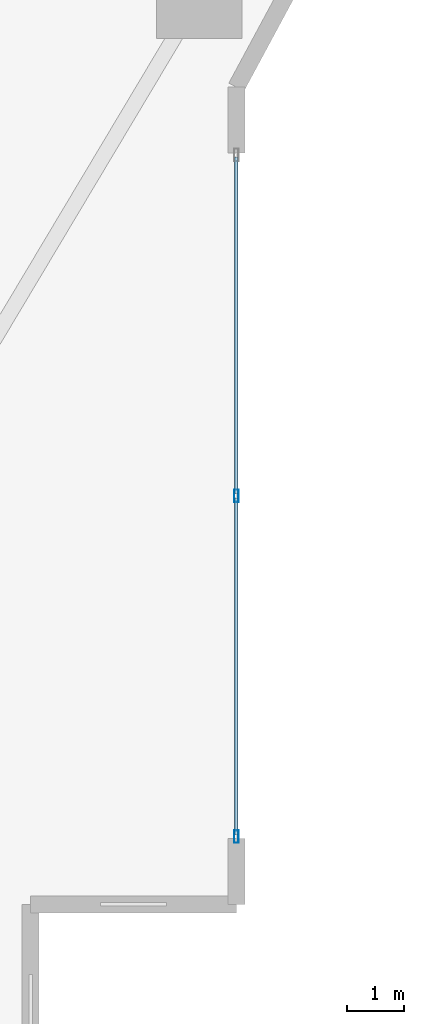
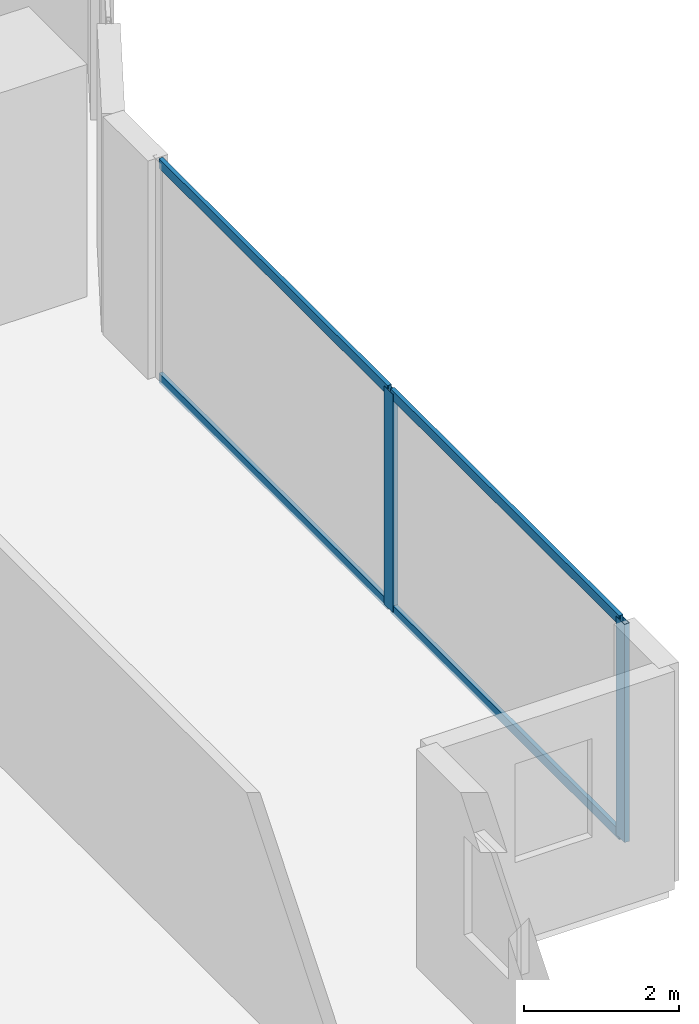
# One storey, part 10 of 29: 6 members, 1 element without a shape of its own.
"""IFC4 building model written with IfcOpenShell, lengths in metres."""

import ifcopenshell
import ifcopenshell.guid

model = None  # the IFC model being written
_history = None  # IfcOwnerHistory: only IFC2X3 demands one
_inside = {}  # id of a spatial element -> (the spatial element, [elements in it])
_under = {}  # id of a project, library or spatial element -> (it, [spatial elements below it])
_declared = {}  # id of a project -> (the project, [libraries it declares])
_typed = {}  # id of a type object -> (the type object, [elements of that type])
_made_of = {}  # id of a material, layer set ... -> (it, [elements and type objects made of it])


def new_model(schema):
    """Start an empty IFC model of exactly this schema.

    Asked for "IFC4X3", IfcOpenShell would pick the latest addendum, in which some entities
    have other attributes; the version numbers below select the first issue.
    IFC2X3 requires an IfcOwnerHistory on every rooted entity: one is made here for all.
    """
    global model, _history
    if schema == "IFC4X3":
        model = ifcopenshell.file(schema_version=(4, 3, 0, 0))
    else:
        model = ifcopenshell.file(schema=schema)
    _inside.clear()
    _under.clear()
    _declared.clear()
    _typed.clear()
    _made_of.clear()
    _history = None
    if model.schema == "IFC2X3":
        org = make("IfcOrganization", Name="unknown")
        user = make(
            "IfcPersonAndOrganization",
            ThePerson=make("IfcPerson", FamilyName="unknown"),
            TheOrganization=org,
        )
        app = make(
            "IfcApplication",
            ApplicationDeveloper=org,
            Version="unknown",
            ApplicationFullName="unknown",
            ApplicationIdentifier="unknown",
        )
        _history = make(
            "IfcOwnerHistory",
            OwningUser=user,
            OwningApplication=app,
            ChangeAction="ADDED",
            CreationDate=0,
        )
    return model


def make(cls, **values):
    """One entity of the class cls with the attributes given. An attribute that is None is left unset."""
    return model.create_entity(
        cls, **{name: value for name, value in values.items() if value is not None}
    )


def rooted(cls, **values):
    """An entity with a GlobalId (a new one), such as an element, a storey or a relation."""
    return make(cls, GlobalId=ifcopenshell.guid.new(), OwnerHistory=_history, **values)


def si_unit(unit_type, name, prefix=None):
    """IfcSIUnit, for example si_unit("LENGTHUNIT", "METRE", prefix="MILLI")."""
    return make("IfcSIUnit", UnitType=unit_type, Prefix=prefix, Name=name)


def assignment(units):
    """IfcUnitAssignment: the units of a project."""
    return None if units is None else make("IfcUnitAssignment", Units=units)


def point(xyz):
    """IfcCartesianPoint."""
    return None if xyz is None else make("IfcCartesianPoint", Coordinates=xyz)


def direction(xyz):
    """IfcDirection."""
    return None if xyz is None else make("IfcDirection", DirectionRatios=xyz)


def frame(location, z_axis=None, x_axis=None):
    """IfcAxis2Placement3D, a coordinate frame: its origin and axes. An axis left out is left unset."""
    return make(
        "IfcAxis2Placement3D",
        Location=point(location),
        Axis=direction(z_axis),
        RefDirection=direction(x_axis),
    )


def frame_2d(location, x_axis=None):
    """IfcAxis2Placement2D, a coordinate frame in the plane: its origin and x axis."""
    return make(
        "IfcAxis2Placement2D", Location=point(location), RefDirection=direction(x_axis)
    )


def origin():
    """The frame at (0, 0, 0) with its axes left unset."""
    return frame((0.0, 0.0, 0.0))


def origin_2d():
    """The frame at (0, 0) in the plane with its x axis left unset."""
    return frame_2d((0.0, 0.0))


def place(relative_to, where):
    """IfcLocalPlacement: puts the frame where relative to a parent placement (None: the world)."""
    return make(
        "IfcLocalPlacement", PlacementRelTo=relative_to, RelativePlacement=where
    )


def context(
    kind, dimensions, precision=None, world=None, true_north=None, identifier=None
):
    """IfcGeometricRepresentationContext, for example the 3D "Model" context."""
    return make(
        "IfcGeometricRepresentationContext",
        ContextIdentifier=identifier,
        ContextType=kind,
        CoordinateSpaceDimension=dimensions,
        Precision=precision,
        WorldCoordinateSystem=world,
        TrueNorth=true_north,
    )


def subcontext(parent, identifier, kind, view, scale=None):
    """IfcGeometricRepresentationSubContext, for example "Body" below "Model"."""
    return make(
        "IfcGeometricRepresentationSubContext",
        ContextIdentifier=identifier,
        ContextType=kind,
        ParentContext=parent,
        TargetScale=scale,
        TargetView=view,
    )


def project(units=None, contexts=None):
    """IfcProject with its units and contexts."""
    return rooted(
        "IfcProject",
        Name="project",
        RepresentationContexts=contexts,
        UnitsInContext=assignment(units),
    )


def spatial(cls, under=None, at=None, **own):
    """A site, building, storey or space (cls), placed at a placement, below another one or the project."""
    s = rooted(cls, ObjectPlacement=at, **own)
    if under is not None:
        _under.setdefault(under.id(), (under, []))[1].append(s)
    return s


def profile(cls, at=None, kind="AREA", **sizes):
    """A parametric profile (cls). Its sizes go by their IFC names, for example OverallWidth=200.0."""
    return make(cls, ProfileType=kind, Position=at, **sizes)


def hollow_rectangle(**sizes):
    """IfcRectangleHollowProfileDef."""
    return profile("IfcRectangleHollowProfileDef", **sizes)


def extrude(swept, where, along, depth):
    """IfcExtrudedAreaSolid: the profile swept, set in the frame where, extruded along a direction by depth."""
    return make(
        "IfcExtrudedAreaSolid",
        SweptArea=swept,
        Position=where,
        ExtrudedDirection=direction(along),
        Depth=depth,
    )


def shape(context_of_items, identifier, shape_type, items):
    """IfcShapeRepresentation: the items that make up one representation, for example the "Body"."""
    return make(
        "IfcShapeRepresentation",
        ContextOfItems=context_of_items,
        RepresentationIdentifier=identifier,
        RepresentationType=shape_type,
        Items=items,
    )


def material(Name=None, Category=None):
    """IfcMaterial."""
    return make("IfcMaterial", Name=Name, Category=Category)


def layer(
    of_material, thickness, ventilated=None, Name=None, Category=None, Priority=None
):
    """IfcMaterialLayer: one layer of a wall or slab, of a material (None: an air gap)."""
    return make(
        "IfcMaterialLayer",
        Material=of_material,
        LayerThickness=thickness,
        IsVentilated=ventilated,
        Name=Name,
        Category=Category,
        Priority=Priority,
    )


def layer_set(layers, Name=None):
    """IfcMaterialLayerSet."""
    return make("IfcMaterialLayerSet", MaterialLayers=layers, LayerSetName=Name)


def material_profile(
    of_material, cross_section, Name=None, Category=None, Priority=None
):
    """IfcMaterialProfile: a cross section and its material."""
    return make(
        "IfcMaterialProfile",
        Name=Name,
        Material=of_material,
        Profile=cross_section,
        Priority=Priority,
        Category=Category,
    )


def profile_set(profiles, Name=None, composite=None):
    """IfcMaterialProfileSet."""
    return make(
        "IfcMaterialProfileSet",
        Name=Name,
        MaterialProfiles=profiles,
        CompositeProfile=composite,
    )


def made_of(thing, what):
    """Note that an element or type object is made of a material, layer set ...; save() writes the relation."""
    if what is not None:
        _made_of.setdefault(what.id(), (what, []))[1].append(thing)
    return thing


def type_object(cls, material=None, **own):
    """A type object (cls), such as IfcWallType, which elements share."""
    return made_of(rooted(cls, **own), material)


def element(
    cls,
    number,
    at=None,
    inside=None,
    cuts=None,
    type_object=None,
    material=None,
    context=None,
    identifier="Body",
    shape_type=None,
    held_by="IfcProductDefinitionShape",
    body=None,
    shapes=None,
    **own,
):
    """One element of the class cls, such as IfcWall. Its Tag is "e" and its number.

    at: its placement. inside: the storey or other place that contains it. cuts: it is an
    opening in that element (IfcRelVoidsElement). A single representation is given by context,
    identifier, shape_type and body (its items); several are given by shapes. held_by: the class
    of the entity that holds the representations. save() writes the other relations.
    """
    e = rooted(cls, Tag="e%d" % number, ObjectPlacement=at, **own)
    if body is not None:
        shapes = [shape(context, identifier, shape_type, body)]
    if shapes is not None:
        e.Representation = make(held_by, Representations=shapes)
    if inside is not None:
        _inside.setdefault(inside.id(), (inside, []))[1].append(e)
    if cuts is not None:
        rooted(
            "IfcRelVoidsElement", RelatingBuildingElement=cuts, RelatedOpeningElement=e
        )
    if type_object is not None:
        _typed.setdefault(type_object.id(), (type_object, []))[1].append(e)
    return made_of(e, material)


def aggregate(whole, parts):
    """IfcRelAggregates: a whole, such as a stair, and the parts it consists of."""
    return rooted("IfcRelAggregates", RelatingObject=whole, RelatedObjects=parts)


def save(model, path):
    """Write the relations noted so far, then the file.

    IfcRelAggregates (storeys below a building ...), IfcRelContainedInSpatialStructure (elements
    in a storey), IfcRelDefinesByType, IfcRelAssociatesMaterial and IfcRelDeclares: one each for
    every whole, place, type object, material and project.
    """
    for whole, parts in _under.values():
        aggregate(whole, parts)
    for where, things in _inside.values():
        rooted(
            "IfcRelContainedInSpatialStructure",
            RelatedElements=things,
            RelatingStructure=where,
        )
    for kind, things in _typed.values():
        rooted("IfcRelDefinesByType", RelatedObjects=things, RelatingType=kind)
    for what, things in _made_of.values():
        rooted("IfcRelAssociatesMaterial", RelatedObjects=things, RelatingMaterial=what)
    for by, libraries in _declared.values():
        rooted("IfcRelDeclares", RelatingContext=by, RelatedDefinitions=libraries)
    model.write(path)


model = new_model("IFC4")

# Units and contexts
model_context = context("Model", 3, precision=1e-05, world=origin(), true_north=direction((0.0, 1.0)))
body_context = subcontext(model_context, "Body", "Model", "MODEL_VIEW")
ifc_project = project(units=[si_unit("LENGTHUNIT", "METRE"), si_unit("AREAUNIT", "SQUARE_METRE"), si_unit("VOLUMEUNIT", "CUBIC_METRE"), si_unit("PLANEANGLEUNIT", "RADIAN"), si_unit("MASSUNIT", "GRAM", prefix="KILO")], contexts=[model_context])

# Site, building, storey
site_placement = place(None, origin())
site = spatial("IfcSite", under=ifc_project, at=site_placement, CompositionType="ELEMENT")
building_placement = place(site_placement, origin())
building = spatial("IfcBuilding", under=site, at=building_placement, Name="Zuhayl Quay Hotel", CompositionType="ELEMENT")
storey_placement = place(building_placement, frame((0.0, 0.0, 60.449951171875)))
storey = spatial("IfcBuildingStorey", under=building, at=storey_placement, Name="L14", CompositionType="ELEMENT", Elevation=60.449951171875)

# Curtain wall, members
ifc_material_1 = material(Name="Anodised Aluminium 6063-T6", Category="aluminium")
ifc_layer = layer(ifc_material_1, 0.18994140625, Name="Anodised Aluminium 6063-T6", Category="aluminium")
ifc_layer_set = layer_set([ifc_layer], Name="Anodised Aluminium 6063-T6")
curtain_wall_type = type_object("IfcCurtainWallType", Name="CW_SYS_Z1", PredefinedType="USERDEFINED", material=ifc_layer_set)
curtain_wall_placement = place(storey_placement, origin())
curtain_wall = element("IfcCurtainWall", 1, at=curtain_wall_placement, inside=storey, type_object=curtain_wall_type, Name="L14 Curtain Wall ENV_L14_E14_CW1", ObjectType="UNITISED CURTAIN WALL", PredefinedType="USERDEFINED")
ifc_material_2 = material(Name="Black-anodised aluminium 6063-T6", Category="aluminium")
ifc_material_profile_1 = material_profile(ifc_material_2, hollow_rectangle(XDim=0.074951171875, YDim=0.219970703125, WallThickness=0.00390625, at=origin_2d()), Name="ALU220X75")
ifc_profile_set_1 = profile_set([ifc_material_profile_1], Name="Black-anodised aluminium 6063-T6")
member_type_1 = type_object("IfcMemberType", Name="MB_CW_MUL_220", PredefinedType="MULLION", material=ifc_profile_set_1)
member_1_placement = place(storey_placement, frame((25.699951171875, -12.35009765625, 0.0), z_axis=(0.0, 0.0, 1.0), x_axis=(1.0, 0.0, 0.0)))
member_1 = element("IfcMember", 2, at=member_1_placement, type_object=member_type_1, Name="CW-Z1 mullion 2", PredefinedType="MULLION", context=body_context, shape_type="SweptSolid", body=[
    extrude(hollow_rectangle(XDim=0.074951171875, YDim=0.219970703125, WallThickness=0.00390625, at=origin_2d()), origin(), (0.0, 0.0, 1.0), 3.429931640625),
])
member_2_placement = place(storey_placement, frame((25.699951171875, -18.3125, 0.0), z_axis=(0.0, 0.0, 1.0), x_axis=(1.0, 0.0, 0.0)))
member_2 = element("IfcMember", 3, at=member_2_placement, type_object=member_type_1, Name="CW-Z1 mullion 3", PredefinedType="MULLION", context=body_context, shape_type="SweptSolid", body=[
    extrude(hollow_rectangle(XDim=0.074951171875, YDim=0.219970703125, WallThickness=0.00390625, at=origin_2d()), origin(), (0.0, 0.0, 1.0), 3.429931640625),
])
ifc_material_profile_2 = material_profile(ifc_material_2, hollow_rectangle(XDim=0.06005859375, YDim=0.14990234375, WallThickness=0.00341796875, at=origin_2d()), Name="ALU150X60")
ifc_profile_set_2 = profile_set([ifc_material_profile_2], Name="Black-anodised aluminium 6063-T6")
member_type_2 = type_object("IfcMemberType", Name="MB_CW_TRN_150", PredefinedType="USERDEFINED", material=ifc_profile_set_2)
member_3_placement = place(storey_placement, frame((25.699951171875, -6.425048828125, 0.030029296875), z_axis=(0.0, -1.0, 0.0), x_axis=(1.0, 0.0, 0.0)))
member_3 = element("IfcMember", 4, at=member_3_placement, type_object=member_type_2, Name="CW-Z1 transom 1.1", ObjectType="TRANSOM", PredefinedType="USERDEFINED", context=body_context, shape_type="SweptSolid", body=[
    extrude(hollow_rectangle(XDim=0.06005859375, YDim=0.14990234375, WallThickness=0.00341796875, at=origin_2d()), origin(), (0.0, 0.0, 1.0), 5.887451171875),
])
member_4_placement = place(storey_placement, frame((25.699951171875, -6.425048828125, 3.400146484375), z_axis=(0.0, -1.0, 0.0), x_axis=(1.0, 0.0, 0.0)))
member_4 = element("IfcMember", 5, at=member_4_placement, type_object=member_type_2, Name="CW-Z1 transom 1.2", ObjectType="TRANSOM", PredefinedType="USERDEFINED", context=body_context, shape_type="SweptSolid", body=[
    extrude(hollow_rectangle(XDim=0.06005859375, YDim=0.14990234375, WallThickness=0.00341796875, at=origin_2d()), origin(), (0.0, 0.0, 1.0), 5.887451171875),
])
member_5_placement = place(storey_placement, frame((25.699951171875, -12.387451171875, 0.030029296875), z_axis=(0.0, -1.0, 0.0), x_axis=(1.0, 0.0, 0.0)))
member_5 = element("IfcMember", 6, at=member_5_placement, type_object=member_type_2, Name="CW-Z1 transom 2.1", ObjectType="TRANSOM", PredefinedType="USERDEFINED", context=body_context, shape_type="SweptSolid", body=[
    extrude(hollow_rectangle(XDim=0.06005859375, YDim=0.14990234375, WallThickness=0.00341796875, at=origin_2d()), origin(), (0.0, 0.0, 1.0), 5.887451171875),
])
member_6_placement = place(storey_placement, frame((25.699951171875, -12.387451171875, 3.400146484375), z_axis=(0.0, -1.0, 0.0), x_axis=(1.0, 0.0, 0.0)))
member_6 = element("IfcMember", 7, at=member_6_placement, type_object=member_type_2, Name="CW-Z1 transom 2.2", ObjectType="TRANSOM", PredefinedType="USERDEFINED", context=body_context, shape_type="SweptSolid", body=[
    extrude(hollow_rectangle(XDim=0.06005859375, YDim=0.14990234375, WallThickness=0.00341796875, at=origin_2d()), origin(), (0.0, 0.0, 1.0), 5.887451171875),
])
aggregate(curtain_wall, [member_1, member_2, member_3, member_4, member_5, member_6])

save(model, "model.ifc")
